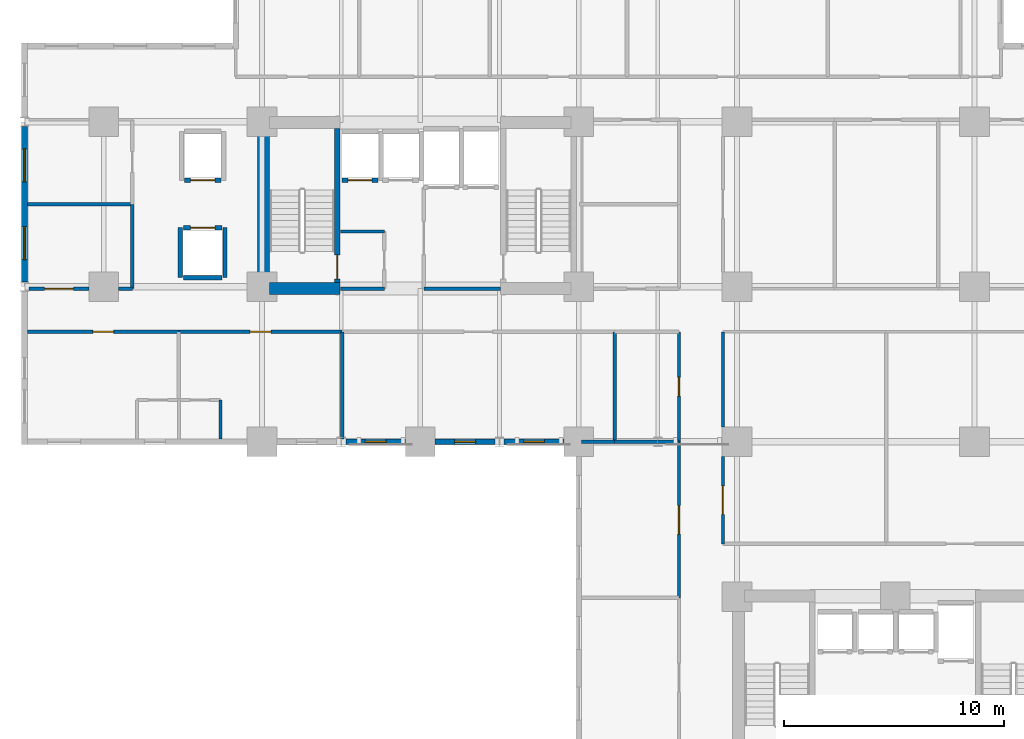
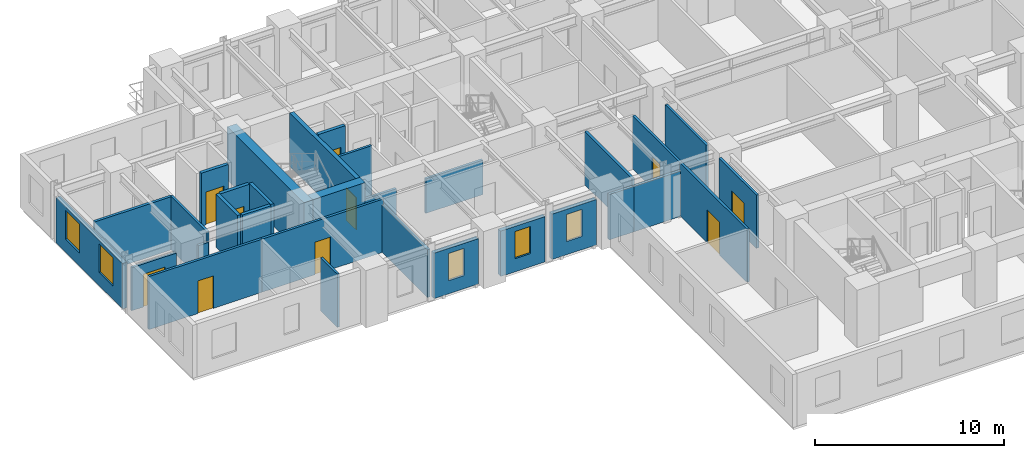
# One storey, part 3 of 11: 31 walls, 10 doors, 5 windows, 15 openings.
"""IFC4 building model written with IfcOpenShell, lengths in metres."""

from ifc_helpers import new_model, si_unit, direction, frame, frame_2d, origin, place, context, subcontext, project, spatial, rectangle, extrude, material, layer, layer_set, type_object, element, fill, save


model = new_model("IFC4")

# Units and contexts
model_context = context("Model", 3, precision=1e-05, world=origin(), true_north=direction((0.0, 1.0)))
body_context = subcontext(model_context, "Body", "Model", "MODEL_VIEW")
ifc_project = project(units=[si_unit("LENGTHUNIT", "METRE"), si_unit("AREAUNIT", "SQUARE_METRE"), si_unit("VOLUMEUNIT", "CUBIC_METRE"), si_unit("PLANEANGLEUNIT", "RADIAN"), si_unit("MASSUNIT", "GRAM", prefix="KILO")], contexts=[model_context])

# Site, building, storey
site_placement = place(None, origin())
site = spatial("IfcSite", under=ifc_project, at=site_placement, CompositionType="ELEMENT")
building_placement = place(site_placement, origin())
building = spatial("IfcBuilding", under=site, at=building_placement, Name="Kaliganga Portal Commons", CompositionType="ELEMENT")
storey_placement = place(building_placement, frame((0.0, 0.0, 51.199951171875)))
storey = spatial("IfcBuildingStorey", under=building, at=storey_placement, Name="L12", CompositionType="ELEMENT", Elevation=51.199951171875)

# Walls
ifc_material_1 = material(Name="Concrete C60/75", Category="concrete")
ifc_layer_1 = layer(ifc_material_1, 0.550048828125)
ifc_layer_set_1 = layer_set([ifc_layer_1], Name="Concrete C60/75")
wall_type_1 = type_object("IfcWallType", Name="WL-CORE-550", PredefinedType="SHEAR", material=ifc_layer_set_1)
wall_1_placement = place(storey_placement, frame((14.47509765625, 28.300048828125, 0.0), z_axis=(0.0, 0.0, 1.0), x_axis=(0.0, 1.0, 0.0)))
element("IfcWall", 1, at=wall_1_placement, inside=storey, type_object=wall_type_1, Name="Core A West Shear Wall L12", PredefinedType="SHEAR", context=body_context, shape_type="SweptSolid", body=[
    extrude(rectangle(XDim=8.099853515625, YDim=0.550048828125, at=frame_2d((4.0498046875, 0.0))), origin(), (0.0, 0.0, 1.0), 3.449951171875),
])
wall_2_placement = place(storey_placement, frame((14.75, 28.574951171875, 0.0), z_axis=(0.0, 0.0, 1.0), x_axis=(1.0, 0.0, 0.0)))
element("IfcWall", 2, at=wall_2_placement, inside=storey, type_object=wall_type_1, Name="Core A S-West Shear Wall L12", PredefinedType="SHEAR", context=body_context, shape_type="SweptSolid", body=[
    extrude(rectangle(XDim=3.199951171875, YDim=0.550048828125, at=frame_2d((1.60009765625, 0.0))), origin(), (0.0, 0.0, 1.0), 3.449951171875),
])

# Wall, openings, windows
ifc_material_2 = material(Name="Insulated Aluminium-Clad Spandrel Assembly", Category="aluminium")
ifc_layer_2 = layer(ifc_material_2, 0.260009765625)
ifc_layer_set_2 = layer_set([ifc_layer_2], Name="Insulated Aluminium-Clad Spandrel Assembly")
wall_type_2 = type_object("IfcWallType", Name="WL-EXT-SPAND-260", PredefinedType="STANDARD", material=ifc_layer_set_2)
wall_3_placement = place(storey_placement, frame((3.60009765625, 28.8740234375, 0.0), z_axis=(0.0, 0.0, 1.0), x_axis=(0.0, 1.0, 0.0)))
wall_3 = element("IfcWall", 3, at=wall_3_placement, inside=storey, type_object=wall_type_2, Name="Exterior Envelope Wall L12 P1-E09-S2", PredefinedType="STANDARD", context=body_context, shape_type="SweptSolid", body=[
    extrude(rectangle(XDim=7.052001953125, YDim=0.260009765625, at=frame_2d((3.52587890625, 0.0))), origin(), (0.0, 0.0, 1.0), 2.929931640625),
])
opening_1_placement = place(wall_3_placement, frame((1.012939453125, 0.0, 0.85009765625)))
opening_1 = element("IfcOpeningElement", 4, at=opening_1_placement, cuts=wall_3, Name="Opening W-02", PredefinedType="OPENING", context=body_context, shape_type="SweptSolid", body=[
    extrude(rectangle(XDim=1.5, YDim=1.85009765625, at=frame_2d((0.75, 0.925048828125))), frame((0.0, 0.14013671875, 0.0), z_axis=(0.0, -1.0, 0.0), x_axis=(1.0, 0.0, 0.0)), (0.0, 0.0, 1.0), 0.280029296875),
])
opening_2_placement = place(wall_3_placement, frame((4.5390625, 0.0, 0.85009765625)))
opening_2 = element("IfcOpeningElement", 5, at=opening_2_placement, cuts=wall_3, Name="Opening W-02", PredefinedType="OPENING", context=body_context, shape_type="SweptSolid", body=[
    extrude(rectangle(XDim=1.5, YDim=1.85009765625, at=frame_2d((0.75, 0.925048828125))), frame((0.0, 0.14013671875, 0.0), z_axis=(0.0, -1.0, 0.0), x_axis=(1.0, 0.0, 0.0)), (0.0, 0.0, 1.0), 0.280029296875),
])
ifc_material_3 = material(Name="Thermally Broken Aluminium and Low-E Double Glazing", Category="aluminium")
window_type_1 = type_object("IfcWindowType", Name="WIN-STD-1500", PartitioningType="DOUBLE_PANEL_VERTICAL", PredefinedType="WINDOW", material=ifc_material_3)
window_1_placement = place(opening_1_placement, origin())
window_1 = element("IfcWindow", 6, at=window_1_placement, inside=storey, type_object=window_type_1, Name="Facade Window L12-P1E09S2-00", OverallHeight=1.85009765625, OverallWidth=1.5, PartitioningType="SINGLE_PANEL", PredefinedType="WINDOW", context=body_context, shape_type="SweptSolid", body=[
    extrude(rectangle(XDim=1.5, YDim=1.85009765625, at=frame_2d((0.75, 0.925048828125))), frame((0.0, 0.030029296875, 0.0), z_axis=(0.0, -1.0, 0.0), x_axis=(1.0, 0.0, 0.0)), (0.0, 0.0, 1.0), 0.06005859375),
])
fill(opening_1, window_1)
window_2_placement = place(opening_2_placement, origin())
window_2 = element("IfcWindow", 7, at=window_2_placement, inside=storey, type_object=window_type_1, Name="Facade Window L12-P1E09S2-01", OverallHeight=1.85009765625, OverallWidth=1.5, PartitioningType="SINGLE_PANEL", PredefinedType="WINDOW", context=body_context, shape_type="SweptSolid", body=[
    extrude(rectangle(XDim=1.5, YDim=1.85009765625, at=frame_2d((0.75, 0.925048828125))), frame((0.0, 0.030029296875, 0.0), z_axis=(0.0, -1.0, 0.0), x_axis=(1.0, 0.0, 0.0)), (0.0, 0.0, 1.0), 0.06005859375),
])
fill(opening_2, window_2)

# Wall, opening, window
wall_4_placement = place(storey_placement, frame((20.924072265625, 21.60009765625, 0.0), z_axis=(0.0, 0.0, 1.0), x_axis=(-1.0, 0.0, 0.0)))
wall_4 = element("IfcWall", 8, at=wall_4_placement, inside=storey, type_object=wall_type_2, Name="Exterior Envelope Wall L12 P1-E10-S3", PredefinedType="STANDARD", context=body_context, shape_type="SweptSolid", body=[
    extrude(rectangle(XDim=2.715087890625, YDim=0.260009765625, at=frame_2d((1.357421875, 0.0))), origin(), (0.0, 0.0, 1.0), 2.929931640625),
])
opening_3_placement = place(wall_4_placement, frame((0.882568359375, 0.0, 0.85009765625)))
opening_3 = element("IfcOpeningElement", 9, at=opening_3_placement, cuts=wall_4, Name="Opening W-04", PredefinedType="OPENING", context=body_context, shape_type="SweptSolid", body=[
    extrude(rectangle(XDim=0.949951171875, YDim=1.75, at=frame_2d((0.47509765625, 0.875))), frame((0.0, 0.14013671875, 0.0), z_axis=(0.0, -1.0, 0.0), x_axis=(1.0, 0.0, 0.0)), (0.0, 0.0, 1.0), 0.280029296875),
])
window_type_2 = type_object("IfcWindowType", Name="WIN-NARROW-950", PartitioningType="SINGLE_PANEL", PredefinedType="WINDOW", material=ifc_material_3)
window_3_placement = place(opening_3_placement, origin())
window_3 = element("IfcWindow", 10, at=window_3_placement, inside=storey, type_object=window_type_2, Name="Facade Window L12-P1E10S3-00", OverallHeight=1.75, OverallWidth=0.949951171875, PartitioningType="SINGLE_PANEL", PredefinedType="WINDOW", context=body_context, shape_type="SweptSolid", body=[
    extrude(rectangle(XDim=0.949951171875, YDim=1.75, at=frame_2d((0.47509765625, 0.875))), frame((0.0, 0.030029296875, 0.0), z_axis=(0.0, -1.0, 0.0), x_axis=(1.0, 0.0, 0.0)), (0.0, 0.0, 1.0), 0.06005859375),
])
fill(opening_3, window_3)

wall_5_placement = place(storey_placement, frame((24.990966796875, 21.60009765625, 0.0), z_axis=(0.0, 0.0, 1.0), x_axis=(-1.0, 0.0, 0.0)))
wall_5 = element("IfcWall", 11, at=wall_5_placement, inside=storey, type_object=wall_type_2, Name="Exterior Envelope Wall L12 P1-E10-S4", PredefinedType="STANDARD", context=body_context, shape_type="SweptSolid", body=[
    extrude(rectangle(XDim=2.715087890625, YDim=0.260009765625, at=frame_2d((1.357421875, 0.0))), origin(), (0.0, 0.0, 1.0), 2.929931640625),
])
opening_4_placement = place(wall_5_placement, frame((0.882568359375, 0.0, 0.85009765625)))
opening_4 = element("IfcOpeningElement", 12, at=opening_4_placement, cuts=wall_5, Name="Opening W-04", PredefinedType="OPENING", context=body_context, shape_type="SweptSolid", body=[
    extrude(rectangle(XDim=0.949951171875, YDim=1.75, at=frame_2d((0.47509765625, 0.875))), frame((0.0, 0.14013671875, 0.0), z_axis=(0.0, -1.0, 0.0), x_axis=(1.0, 0.0, 0.0)), (0.0, 0.0, 1.0), 0.280029296875),
])
window_4_placement = place(opening_4_placement, origin())
window_4 = element("IfcWindow", 13, at=window_4_placement, inside=storey, type_object=window_type_2, Name="Facade Window L12-P1E10S4-00", OverallHeight=1.75, OverallWidth=0.949951171875, PartitioningType="SINGLE_PANEL", PredefinedType="WINDOW", context=body_context, shape_type="SweptSolid", body=[
    extrude(rectangle(XDim=0.949951171875, YDim=1.75, at=frame_2d((0.47509765625, 0.875))), frame((0.0, 0.030029296875, 0.0), z_axis=(0.0, -1.0, 0.0), x_axis=(1.0, 0.0, 0.0)), (0.0, 0.0, 1.0), 0.06005859375),
])
fill(opening_4, window_4)

wall_6_placement = place(storey_placement, frame((28.1240234375, 21.60009765625, 0.0), z_axis=(0.0, 0.0, 1.0), x_axis=(-1.0, 0.0, 0.0)))
wall_6 = element("IfcWall", 14, at=wall_6_placement, inside=storey, type_object=wall_type_2, Name="Exterior Envelope Wall L12 P1-E10-S5", PredefinedType="STANDARD", context=body_context, shape_type="SweptSolid", body=[
    extrude(rectangle(XDim=2.715087890625, YDim=0.260009765625, at=frame_2d((1.357421875, 0.0))), origin(), (0.0, 0.0, 1.0), 2.929931640625),
])
opening_5_placement = place(wall_6_placement, frame((0.882568359375, 0.0, 0.85009765625)))
opening_5 = element("IfcOpeningElement", 15, at=opening_5_placement, cuts=wall_6, Name="Opening W-04", PredefinedType="OPENING", context=body_context, shape_type="SweptSolid", body=[
    extrude(rectangle(XDim=0.949951171875, YDim=1.75, at=frame_2d((0.47509765625, 0.875))), frame((0.0, 0.14013671875, 0.0), z_axis=(0.0, -1.0, 0.0), x_axis=(1.0, 0.0, 0.0)), (0.0, 0.0, 1.0), 0.280029296875),
])
window_5_placement = place(opening_5_placement, origin())
window_5 = element("IfcWindow", 16, at=window_5_placement, inside=storey, type_object=window_type_2, Name="Facade Window L12-P1E10S5-00", OverallHeight=1.75, OverallWidth=0.949951171875, PartitioningType="SINGLE_PANEL", PredefinedType="WINDOW", context=body_context, shape_type="SweptSolid", body=[
    extrude(rectangle(XDim=0.949951171875, YDim=1.75, at=frame_2d((0.47509765625, 0.875))), frame((0.0, 0.030029296875, 0.0), z_axis=(0.0, -1.0, 0.0), x_axis=(1.0, 0.0, 0.0)), (0.0, 0.0, 1.0), 0.06005859375),
])
fill(opening_5, window_5)

# Wall, opening, door
ifc_material_4 = material(Name="Fire-Rated Gypsum Board on Steel Stud", Category="steel")
ifc_layer_3 = layer(ifc_material_4, 0.14990234375)
ifc_layer_set_3 = layer_set([ifc_layer_3], Name="Fire-Rated Gypsum Board on Steel Stud")
wall_type_3 = type_object("IfcWallType", Name="WL-PART-CORR-150", PredefinedType="PARTITIONING", material=ifc_layer_set_3)
wall_7_placement = place(storey_placement, frame((35.360107421875, 16.9599609375, 0.0), z_axis=(0.0, 0.0, 1.0), x_axis=(0.0, 1.0, 0.0)))
wall_7 = element("IfcWall", 17, at=wall_7_placement, inside=storey, type_object=wall_type_3, Name="Interior Partition L12-007", PredefinedType="PARTITIONING", context=body_context, shape_type="SweptSolid", body=[
    extrude(rectangle(XDim=3.965087890625, YDim=0.14990234375, at=frame_2d((1.982421875, 0.0))), origin(), (0.0, 0.0, 1.0), 3.429931640625),
])
opening_6_placement = place(wall_7_placement, frame((1.33251953125, 0.0, 0.0)))
opening_6 = element("IfcOpeningElement", 18, at=opening_6_placement, cuts=wall_7, Name="Opening RD-03", PredefinedType="OPENING", context=body_context, shape_type="SweptSolid", body=[
    extrude(rectangle(XDim=1.300048828125, YDim=2.1201171875, at=frame_2d((0.64990234375, 1.06005859375))), frame((0.0, 0.0849609375, 0.0), z_axis=(0.0, -1.0, 0.0), x_axis=(1.0, 0.0, 0.0)), (0.0, 0.0, 1.0), 0.169921875),
])
ifc_material_5 = material(Name="Glazed Timber Seminar Vision Door", Category="wood")
door_type_1 = type_object("IfcDoorType", Name="DR-STUDY-1300", OperationType="DOUBLE_DOOR_SINGLE_SWING", PredefinedType="DOOR", material=ifc_material_5)
door_1_placement = place(opening_6_placement, origin())
door_1 = element("IfcDoor", 19, at=door_1_placement, inside=storey, type_object=door_type_1, Name="Interior Door L12-BM01", OperationType="DOUBLE_DOOR_SINGLE_SWING", OverallHeight=2.1201171875, OverallWidth=1.300048828125, PredefinedType="DOOR", context=body_context, shape_type="SweptSolid", body=[
    extrude(rectangle(XDim=1.300048828125, YDim=2.1201171875, at=frame_2d((0.64990234375, 1.06005859375))), frame((0.0, 0.02490234375, 0.0), z_axis=(0.0, -1.0, 0.0), x_axis=(1.0, 0.0, 0.0)), (0.0, 0.0, 1.0), 0.050048828125),
])
fill(opening_6, door_1)

# Wall
wall_8_placement = place(storey_placement, frame((35.360107421875, 22.27490234375, 0.0), z_axis=(0.0, 0.0, 1.0), x_axis=(0.0, 1.0, 0.0)))
element("IfcWall", 20, at=wall_8_placement, inside=storey, type_object=wall_type_3, Name="Interior Partition L12-008", PredefinedType="PARTITIONING", context=body_context, shape_type="SweptSolid", body=[
    extrude(rectangle(XDim=4.3251953125, YDim=0.14990234375, at=frame_2d((2.16259765625, 0.0))), origin(), (0.0, 0.0, 1.0), 3.429931640625),
])

# Wall, opening, door
wall_9_placement = place(storey_placement, frame((10.6201171875, 26.60009765625, 0.0), z_axis=(0.0, 0.0, 1.0), x_axis=(1.0, 0.0, 0.0)))
wall_9 = element("IfcWall", 21, at=wall_9_placement, inside=storey, type_object=wall_type_3, Name="Interior Partition L12-014", PredefinedType="PARTITIONING", context=body_context, shape_type="SweptSolid", body=[
    extrude(rectangle(XDim=7.419921875, YDim=0.14990234375, at=frame_2d((3.7099609375, 0.0))), origin(), (0.0, 0.0, 1.0), 3.429931640625),
])
opening_7_placement = place(wall_9_placement, frame((3.235107421875, 0.0, 0.0)))
opening_7 = element("IfcOpeningElement", 22, at=opening_7_placement, cuts=wall_9, Name="Opening UD-01", PredefinedType="OPENING", context=body_context, shape_type="SweptSolid", body=[
    extrude(rectangle(XDim=0.949951171875, YDim=2.10009765625, at=frame_2d((0.47509765625, 1.050048828125))), frame((0.0, 0.0849609375, 0.0), z_axis=(0.0, -1.0, 0.0), x_axis=(1.0, 0.0, 0.0)), (0.0, 0.0, 1.0), 0.169921875),
])
ifc_material_6 = material(Name="Solid-Core Timber Acoustic Fire Door", Category="wood")
door_type_2 = type_object("IfcDoorType", Name="DR-UNIT-950", OperationType="NOTDEFINED", PredefinedType="DOOR", material=ifc_material_6)
door_2_placement = place(opening_7_placement, origin())
door_2 = element("IfcDoor", 23, at=door_2_placement, inside=storey, type_object=door_type_2, Name="Interior Door L12-AS02", OperationType="SINGLE_SWING_LEFT", OverallHeight=2.10009765625, OverallWidth=0.949951171875, PredefinedType="DOOR", context=body_context, shape_type="SweptSolid", body=[
    extrude(rectangle(XDim=0.949951171875, YDim=2.10009765625, at=frame_2d((0.47509765625, 1.050048828125))), frame((0.0, 0.02490234375, 0.0), z_axis=(0.0, -1.0, 0.0), x_axis=(1.0, 0.0, 0.0)), (0.0, 0.0, 1.0), 0.050048828125),
])
fill(opening_7, door_2)

wall_10_placement = place(storey_placement, frame((33.360107421875, 14.5, 0.0), z_axis=(0.0, 0.0, 1.0), x_axis=(0.0, 1.0, 0.0)))
wall_10 = element("IfcWall", 24, at=wall_10_placement, inside=storey, type_object=wall_type_3, Name="Interior Partition L12-016", PredefinedType="PARTITIONING", context=body_context, shape_type="SweptSolid", body=[
    extrude(rectangle(XDim=7.10009765625, YDim=0.14990234375, at=frame_2d((3.550048828125, 0.0))), origin(), (0.0, 0.0, 1.0), 3.429931640625),
])
opening_8_placement = place(wall_10_placement, frame((2.89990234375, 0.0, 0.0)))
opening_8 = element("IfcOpeningElement", 25, at=opening_8_placement, cuts=wall_10, Name="Opening RD-03", PredefinedType="OPENING", context=body_context, shape_type="SweptSolid", body=[
    extrude(rectangle(XDim=1.300048828125, YDim=2.1201171875, at=frame_2d((0.64990234375, 1.06005859375))), frame((0.0, 0.0849609375, 0.0), z_axis=(0.0, -1.0, 0.0), x_axis=(1.0, 0.0, 0.0)), (0.0, 0.0, 1.0), 0.169921875),
])
door_3_placement = place(opening_8_placement, origin())
door_3 = element("IfcDoor", 26, at=door_3_placement, inside=storey, type_object=door_type_1, Name="Interior Door L12-KW02", OperationType="DOUBLE_DOOR_SINGLE_SWING", OverallHeight=2.1201171875, OverallWidth=1.300048828125, PredefinedType="DOOR", context=body_context, shape_type="SweptSolid", body=[
    extrude(rectangle(XDim=1.300048828125, YDim=2.1201171875, at=frame_2d((0.64990234375, 1.06005859375))), frame((0.0, 0.02490234375, 0.0), z_axis=(0.0, -1.0, 0.0), x_axis=(1.0, 0.0, 0.0)), (0.0, 0.0, 1.0), 0.050048828125),
])
fill(opening_8, door_3)

wall_11_placement = place(storey_placement, frame((3.73193359375, 26.60009765625, 0.0), z_axis=(0.0, 0.0, 1.0), x_axis=(1.0, 0.0, 0.0)))
wall_11 = element("IfcWall", 27, at=wall_11_placement, inside=storey, type_object=wall_type_3, Name="Interior Partition L12-021", PredefinedType="PARTITIONING", context=body_context, shape_type="SweptSolid", body=[
    extrude(rectangle(XDim=6.88818359375, YDim=0.14990234375, at=frame_2d((3.444091796875, 0.0))), origin(), (0.0, 0.0, 1.0), 3.429931640625),
])
opening_9_placement = place(wall_11_placement, frame((2.968994140625, 0.0, 0.0)))
opening_9 = element("IfcOpeningElement", 28, at=opening_9_placement, cuts=wall_11, Name="Opening UD-01", PredefinedType="OPENING", context=body_context, shape_type="SweptSolid", body=[
    extrude(rectangle(XDim=0.949951171875, YDim=2.10009765625, at=frame_2d((0.47509765625, 1.050048828125))), frame((0.0, 0.0849609375, 0.0), z_axis=(0.0, -1.0, 0.0), x_axis=(1.0, 0.0, 0.0)), (0.0, 0.0, 1.0), 0.169921875),
])
door_4_placement = place(opening_9_placement, origin())
door_4 = element("IfcDoor", 29, at=door_4_placement, inside=storey, type_object=door_type_2, Name="Interior Door L12-AS01", OperationType="SINGLE_SWING_LEFT", OverallHeight=2.10009765625, OverallWidth=0.949951171875, PredefinedType="DOOR", context=body_context, shape_type="SweptSolid", body=[
    extrude(rectangle(XDim=0.949951171875, YDim=2.10009765625, at=frame_2d((0.47509765625, 1.050048828125))), frame((0.0, 0.02490234375, 0.0), z_axis=(0.0, -1.0, 0.0), x_axis=(1.0, 0.0, 0.0)), (0.0, 0.0, 1.0), 0.050048828125),
])
fill(opening_9, door_4)

wall_12_placement = place(storey_placement, frame((33.360107421875, 21.60009765625, 0.0), z_axis=(0.0, 0.0, 1.0), x_axis=(0.0, 1.0, 0.0)))
wall_12 = element("IfcWall", 30, at=wall_12_placement, inside=storey, type_object=wall_type_3, Name="Interior Partition L12-029", PredefinedType="PARTITIONING", context=body_context, shape_type="SweptSolid", body=[
    extrude(rectangle(XDim=5.0, YDim=0.14990234375, at=frame_2d((2.5, 0.0))), origin(), (0.0, 0.0, 1.0), 3.429931640625),
])
opening_10_placement = place(wall_12_placement, frame((2.070068359375, 0.0, 0.0)))
opening_10 = element("IfcOpeningElement", 31, at=opening_10_placement, cuts=wall_12, Name="Opening WD-02", PredefinedType="OPENING", context=body_context, shape_type="SweptSolid", body=[
    extrude(rectangle(XDim=0.860107421875, YDim=2.02001953125, at=frame_2d((0.43017578125, 1.010009765625))), frame((0.0, 0.0849609375, 0.0), z_axis=(0.0, -1.0, 0.0), x_axis=(1.0, 0.0, 0.0)), (0.0, 0.0, 1.0), 0.169921875),
])
ifc_material_7 = material(Name="Fire-Rated Utility Closet Door", Category="wood")
door_type_3 = type_object("IfcDoorType", Name="DR-STORE-800", OperationType="NOTDEFINED", PredefinedType="DOOR", material=ifc_material_7)
door_5_placement = place(opening_10_placement, origin())
door_5 = element("IfcDoor", 32, at=door_5_placement, inside=storey, type_object=door_type_3, Name="Interior Door L12-AS04", OperationType="SINGLE_SWING_RIGHT", OverallHeight=2.02001953125, OverallWidth=0.860107421875, PredefinedType="DOOR", context=body_context, shape_type="SweptSolid", body=[
    extrude(rectangle(XDim=0.860107421875, YDim=2.02001953125, at=frame_2d((0.43017578125, 1.010009765625))), frame((0.0, 0.02490234375, 0.0), z_axis=(0.0, -1.0, 0.0), x_axis=(1.0, 0.0, 0.0)), (0.0, 0.0, 1.0), 0.050048828125),
])
fill(opening_10, door_5)

wall_13_placement = place(storey_placement, frame((3.80810546875, 28.56005859375, 0.0), z_axis=(0.0, 0.0, 1.0), x_axis=(1.0, 0.0, 0.0)))
wall_13 = element("IfcWall", 33, at=wall_13_placement, inside=storey, type_object=wall_type_3, Name="Interior Partition L12-030", PredefinedType="PARTITIONING", context=body_context, shape_type="SweptSolid", body=[
    extrude(rectangle(XDim=2.716796875, YDim=0.14990234375, at=frame_2d((1.3583984375, 0.0))), origin(), (0.0, 0.0, 1.0), 2.780029296875),
])
opening_11_placement = place(wall_13_placement, frame((0.70849609375, 0.0, 0.0)))
opening_11 = element("IfcOpeningElement", 34, at=opening_11_placement, cuts=wall_13, Name="Opening RD-03", PredefinedType="OPENING", context=body_context, shape_type="SweptSolid", body=[
    extrude(rectangle(XDim=1.300048828125, YDim=2.1201171875, at=frame_2d((0.64990234375, 1.06005859375))), frame((0.0, 0.0849609375, 0.0), z_axis=(0.0, -1.0, 0.0), x_axis=(1.0, 0.0, 0.0)), (0.0, 0.0, 1.0), 0.169921875),
])
door_6_placement = place(opening_11_placement, origin())
door_6 = element("IfcDoor", 35, at=door_6_placement, inside=storey, type_object=door_type_1, Name="Interior Door L12-AW01", OperationType="DOUBLE_DOOR_SINGLE_SWING", OverallHeight=2.1201171875, OverallWidth=1.300048828125, PredefinedType="DOOR", context=body_context, shape_type="SweptSolid", body=[
    extrude(rectangle(XDim=1.300048828125, YDim=2.1201171875, at=frame_2d((0.64990234375, 1.06005859375))), frame((0.0, 0.02490234375, 0.0), z_axis=(0.0, -1.0, 0.0), x_axis=(1.0, 0.0, 0.0)), (0.0, 0.0, 1.0), 0.050048828125),
])
fill(opening_11, door_6)

# Walls
wall_14_placement = place(storey_placement, frame((7.875, 28.56005859375, 0.0), z_axis=(0.0, 0.0, 1.0), x_axis=(1.0, 0.0, 0.0)))
element("IfcWall", 36, at=wall_14_placement, inside=storey, type_object=wall_type_3, Name="Interior Partition L12-031", PredefinedType="PARTITIONING", context=body_context, shape_type="SweptSolid", body=[
    extrude(rectangle(XDim=0.625, YDim=0.14990234375, at=frame_2d((0.3125, 0.0))), origin(), (0.0, 0.0, 1.0), 2.780029296875),
])
wall_15_placement = place(storey_placement, frame((8.5, 28.56005859375, 0.0), z_axis=(0.0, 0.0, 1.0), x_axis=(0.0, 1.0, 0.0)))
element("IfcWall", 37, at=wall_15_placement, inside=storey, type_object=wall_type_3, Name="Interior Partition L12-040", PredefinedType="PARTITIONING", context=body_context, shape_type="SweptSolid", body=[
    extrude(rectangle(XDim=3.83984375, YDim=0.14990234375, at=frame_2d((1.919921875, 0.0))), origin(), (0.0, 0.0, 1.0), 3.429931640625),
])
wall_16_placement = place(storey_placement, frame((17.9599609375, 28.56005859375, 0.0), z_axis=(0.0, 0.0, 1.0), x_axis=(1.0, 0.0, 0.0)))
element("IfcWall", 38, at=wall_16_placement, inside=storey, type_object=wall_type_3, Name="Interior Partition L12-045", PredefinedType="PARTITIONING", context=body_context, shape_type="SweptSolid", body=[
    extrude(rectangle(XDim=2.0, YDim=0.14990234375, at=frame_2d((1.0, 0.0))), origin(), (0.0, 0.0, 1.0), 2.22998046875),
])
wall_17_placement = place(storey_placement, frame((17.9599609375, 31.159912109375, 0.0), z_axis=(0.0, 0.0, 1.0), x_axis=(1.0, 0.0, 0.0)))
element("IfcWall", 39, at=wall_17_placement, inside=storey, type_object=wall_type_3, Name="Interior Partition L12-046", PredefinedType="PARTITIONING", context=body_context, shape_type="SweptSolid", body=[
    extrude(rectangle(XDim=2.0, YDim=0.14990234375, at=frame_2d((1.0, 0.0))), origin(), (0.0, 0.0, 1.0), 3.429931640625),
])
wall_18_placement = place(storey_placement, frame((21.760009765625, 28.56005859375, 0.0), z_axis=(0.0, 0.0, 1.0), x_axis=(1.0, 0.0, 0.0)))
element("IfcWall", 40, at=wall_18_placement, inside=storey, type_object=wall_type_3, Name="Interior Partition L12-078", PredefinedType="PARTITIONING", context=body_context, shape_type="SweptSolid", body=[
    extrude(rectangle(XDim=3.47998046875, YDim=0.14990234375, at=frame_2d((1.739990234375, 0.0))), origin(), (0.0, 0.0, 1.0), 2.22998046875),
])
ifc_material_8 = material(Name="Twin-Stud Acoustic Gypsum Partition", Category="gypsum")
ifc_layer_4 = layer(ifc_material_8, 0.1650390625)
ifc_layer_set_4 = layer_set([ifc_layer_4], Name="Twin-Stud Acoustic Gypsum Partition")
wall_type_4 = type_object("IfcWallType", Name="WL-PART-UNIT-165", PredefinedType="PARTITIONING", material=ifc_layer_set_4)
wall_19_placement = place(storey_placement, frame((18.0400390625, 21.73193359375, 0.0), z_axis=(0.0, 0.0, 1.0), x_axis=(0.0, 1.0, 0.0)))
element("IfcWall", 41, at=wall_19_placement, inside=storey, type_object=wall_type_4, Name="Interior Partition L12-061", PredefinedType="PARTITIONING", context=body_context, shape_type="SweptSolid", body=[
    extrude(rectangle(XDim=4.8681640625, YDim=0.1650390625, at=frame_2d((2.43408203125, 0.0))), origin(), (0.0, 0.0, 1.0), 3.070068359375),
])
wall_20_placement = place(storey_placement, frame((30.43994140625, 21.60009765625, 0.0), z_axis=(0.0, 0.0, 1.0), x_axis=(0.0, 1.0, 0.0)))
element("IfcWall", 42, at=wall_20_placement, inside=storey, type_object=wall_type_4, Name="Interior Partition L12-064", PredefinedType="PARTITIONING", context=body_context, shape_type="SweptSolid", body=[
    extrude(rectangle(XDim=5.0, YDim=0.1650390625, at=frame_2d((2.5, 0.0))), origin(), (0.0, 0.0, 1.0), 3.429931640625),
])
wall_21_placement = place(storey_placement, frame((3.73193359375, 32.39990234375, 0.0), z_axis=(0.0, 0.0, 1.0), x_axis=(1.0, 0.0, 0.0)))
element("IfcWall", 43, at=wall_21_placement, inside=storey, type_object=wall_type_4, Name="Interior Partition L12-069", PredefinedType="PARTITIONING", context=body_context, shape_type="SweptSolid", body=[
    extrude(rectangle(XDim=4.76806640625, YDim=0.1650390625, at=frame_2d((2.384033203125, 0.0))), origin(), (0.0, 0.0, 1.0), 3.429931640625),
])
wall_22_placement = place(storey_placement, frame((30.43994140625, 21.60009765625, 0.0), z_axis=(0.0, 0.0, 1.0), x_axis=(1.0, 0.0, 0.0)))
element("IfcWall", 44, at=wall_22_placement, inside=storey, type_object=wall_type_4, Name="Interior Partition L12-080", PredefinedType="PARTITIONING", context=body_context, shape_type="SweptSolid", body=[
    extrude(rectangle(XDim=2.920166015625, YDim=0.1650390625, at=frame_2d((1.4599609375, 0.0))), origin(), (0.0, 0.0, 1.0), 2.929931640625),
])
wall_23_placement = place(storey_placement, frame((28.931884765625, 21.60009765625, 0.0), z_axis=(0.0, 0.0, 1.0), x_axis=(1.0, 0.0, 0.0)))
element("IfcWall", 45, at=wall_23_placement, inside=storey, type_object=wall_type_4, Name="Interior Partition L12-082", PredefinedType="PARTITIONING", context=body_context, shape_type="SweptSolid", body=[
    extrude(rectangle(XDim=1.508056640625, YDim=0.1650390625, at=frame_2d((0.75390625, 0.0))), origin(), (0.0, 0.0, 1.0), 2.929931640625),
])
ifc_material_9 = material(Name="Cement-Board Wet-Room Partition", Category="gypsum")
ifc_layer_5 = layer(ifc_material_9, 0.135009765625)
ifc_layer_set_5 = layer_set([ifc_layer_5], Name="Cement-Board Wet-Room Partition")
wall_type_5 = type_object("IfcWallType", Name="WL-PART-WET-135", PredefinedType="PARTITIONING", material=ifc_layer_set_5)
wall_24_placement = place(storey_placement, frame((12.52001953125, 21.73193359375, 0.0), z_axis=(0.0, 0.0, 1.0), x_axis=(0.0, 1.0, 0.0)))
element("IfcWall", 46, at=wall_24_placement, inside=storey, type_object=wall_type_5, Name="Interior Partition L12-005", PredefinedType="PARTITIONING", context=body_context, shape_type="SweptSolid", body=[
    extrude(rectangle(XDim=1.76806640625, YDim=0.135009765625, at=frame_2d((0.884033203125, 0.0))), origin(), (0.0, 0.0, 1.0), 3.429931640625),
])

# Wall, opening, door
ifc_material_10 = material(Name="Fire-Rated Shaftwall Masonry Assembly", Category="masonry")
ifc_layer_6 = layer(ifc_material_10, 0.199951171875)
ifc_layer_set_6 = layer_set([ifc_layer_6], Name="Fire-Rated Shaftwall Masonry Assembly")
wall_type_6 = type_object("IfcWallType", Name="WL-SHAFT-200", PredefinedType="PARTITIONING", material=ifc_layer_set_6)
wall_25_placement = place(storey_placement, frame((18.02490234375, 33.485107421875, 0.0), z_axis=(0.0, 0.0, 1.0), x_axis=(1.0, 0.0, 0.0)))
wall_25 = element("IfcWall", 47, at=wall_25_placement, inside=storey, type_object=wall_type_6, Name="Lift PL-A1 Hoistway Shaft Wall L12-S", PredefinedType="PARTITIONING", context=body_context, shape_type="SweptSolid", body=[
    extrude(rectangle(XDim=1.650146484375, YDim=0.199951171875, at=frame_2d((0.8251953125, 0.0))), origin(), (0.0, 0.0, 1.0), 3.429931640625),
])
opening_12_placement = place(wall_25_placement, frame((0.27490234375, 0.0, 0.0)))
opening_12 = element("IfcOpeningElement", 48, at=opening_12_placement, cuts=wall_25, Name="Opening LD-01", PredefinedType="OPENING", context=body_context, shape_type="SweptSolid", body=[
    extrude(rectangle(XDim=1.10009765625, YDim=2.1201171875, at=frame_2d((0.550048828125, 1.06005859375))), frame((0.0, 0.10986328125, 0.0), z_axis=(0.0, -1.0, 0.0), x_axis=(1.0, 0.0, 0.0)), (0.0, 0.0, 1.0), 0.219970703125),
])
ifc_material_11 = material(Name="Brushed Stainless Steel 316 Lift Landing Door", Category="steel")
door_type_4 = type_object("IfcDoorType", Name="DR-LIFT-1100", OperationType="SLIDING_TO_LEFT", PredefinedType="DOOR", material=ifc_material_11)
door_7_placement = place(opening_12_placement, origin())
door_7 = element("IfcDoor", 49, at=door_7_placement, inside=storey, type_object=door_type_4, Name="Lift PL-A1 Sliding Landing Door L12", OperationType="SLIDING_TO_LEFT", OverallHeight=2.1201171875, OverallWidth=1.10009765625, PredefinedType="DOOR", context=body_context, shape_type="SweptSolid", body=[
    extrude(rectangle(XDim=1.10009765625, YDim=2.1201171875, at=frame_2d((0.550048828125, 1.06005859375))), frame((0.0, 0.02490234375, 0.0), z_axis=(0.0, -1.0, 0.0), x_axis=(1.0, 0.0, 0.0)), (0.0, 0.0, 1.0), 0.050048828125),
])
fill(opening_12, door_7)

# Wall
wall_26_placement = place(storey_placement, frame((10.824951171875, 29.06005859375, 0.0), z_axis=(0.0, 0.0, 1.0), x_axis=(1.0, 0.0, 0.0)))
element("IfcWall", 50, at=wall_26_placement, inside=storey, type_object=wall_type_6, Name="Lift SH-1 Hoistway Shaft Wall L12-S", PredefinedType="PARTITIONING", context=body_context, shape_type="SweptSolid", body=[
    extrude(rectangle(XDim=1.75, YDim=0.199951171875, at=frame_2d((0.875, 0.0))), origin(), (0.0, 0.0, 1.0), 3.429931640625),
])

# Wall, opening, door
wall_27_placement = place(storey_placement, frame((10.824951171875, 31.340087890625, 0.0), z_axis=(0.0, 0.0, 1.0), x_axis=(1.0, 0.0, 0.0)))
wall_27 = element("IfcWall", 51, at=wall_27_placement, inside=storey, type_object=wall_type_6, Name="Lift SH-1 Hoistway Shaft Wall L12-N", PredefinedType="PARTITIONING", context=body_context, shape_type="SweptSolid", body=[
    extrude(rectangle(XDim=1.75, YDim=0.199951171875, at=frame_2d((0.875, 0.0))), origin(), (0.0, 0.0, 1.0), 3.429931640625),
])
opening_13_placement = place(wall_27_placement, frame((0.324951171875, 0.0, 0.0)))
opening_13 = element("IfcOpeningElement", 52, at=opening_13_placement, cuts=wall_27, Name="Opening LD-01", PredefinedType="OPENING", context=body_context, shape_type="SweptSolid", body=[
    extrude(rectangle(XDim=1.10009765625, YDim=2.1201171875, at=frame_2d((0.550048828125, 1.06005859375))), frame((0.0, 0.10986328125, 0.0), z_axis=(0.0, -1.0, 0.0), x_axis=(1.0, 0.0, 0.0)), (0.0, 0.0, 1.0), 0.219970703125),
])
door_8_placement = place(opening_13_placement, origin())
door_8 = element("IfcDoor", 53, at=door_8_placement, inside=storey, type_object=door_type_4, Name="Lift SH-1 Sliding Landing Door L12", OperationType="SLIDING_TO_LEFT", OverallHeight=2.1201171875, OverallWidth=1.10009765625, PredefinedType="DOOR", context=body_context, shape_type="SweptSolid", body=[
    extrude(rectangle(XDim=1.10009765625, YDim=2.1201171875, at=frame_2d((0.550048828125, 1.06005859375))), frame((0.0, 0.02490234375, 0.0), z_axis=(0.0, -1.0, 0.0), x_axis=(1.0, 0.0, 0.0)), (0.0, 0.0, 1.0), 0.050048828125),
])
fill(opening_13, door_8)

# Walls
for number, where, z_axis, x_axis, name in (
    (54, (10.68505859375, 29.06005859375, 0.0), (0.0, 0.0, 1.0), (0.0, 1.0, 0.0), "Lift SH-1 Hoistway Shaft Wall L12-W"),
    (55, (12.715087890625, 29.06005859375, 0.0), (0.0, 0.0, 1.0), (0.0, 1.0, 0.0), "Lift SH-1 Hoistway Shaft Wall L12-E"),
):
    element("IfcWall", number, at=place(storey_placement, frame(where, z_axis=z_axis, x_axis=x_axis)), inside=storey, type_object=wall_type_6, Name=name, PredefinedType="PARTITIONING", context=body_context, shape_type="SweptSolid", body=[
        extrude(rectangle(XDim=2.280029296875, YDim=0.199951171875, at=frame_2d((1.14013671875, 0.0))), origin(), (0.0, 0.0, 1.0), 3.429931640625),
    ])

# Wall, opening, door
wall_28_placement = place(storey_placement, frame((10.875, 33.485107421875, 0.0), z_axis=(0.0, 0.0, 1.0), x_axis=(1.0, 0.0, 0.0)))
wall_28 = element("IfcWall", 56, at=wall_28_placement, inside=storey, type_object=wall_type_6, Name="Lift PL-OBS Hoistway Shaft Wall L12-S", PredefinedType="PARTITIONING", context=body_context, shape_type="SweptSolid", body=[
    extrude(rectangle(XDim=1.64990234375, YDim=0.199951171875, at=frame_2d((0.824951171875, 0.0))), origin(), (0.0, 0.0, 1.0), 3.429931640625),
])
opening_14_placement = place(wall_28_placement, frame((0.27490234375, 0.0, 0.0)))
opening_14 = element("IfcOpeningElement", 57, at=opening_14_placement, cuts=wall_28, Name="Opening LD-01", PredefinedType="OPENING", context=body_context, shape_type="SweptSolid", body=[
    extrude(rectangle(XDim=1.10009765625, YDim=2.1201171875, at=frame_2d((0.550048828125, 1.06005859375))), frame((0.0, 0.10986328125, 0.0), z_axis=(0.0, -1.0, 0.0), x_axis=(1.0, 0.0, 0.0)), (0.0, 0.0, 1.0), 0.219970703125),
])
door_9_placement = place(opening_14_placement, origin())
door_9 = element("IfcDoor", 58, at=door_9_placement, inside=storey, type_object=door_type_4, Name="Lift PL-OBS Sliding Landing Door L12", OperationType="SLIDING_TO_LEFT", OverallHeight=2.1201171875, OverallWidth=1.10009765625, PredefinedType="DOOR", context=body_context, shape_type="SweptSolid", body=[
    extrude(rectangle(XDim=1.10009765625, YDim=2.1201171875, at=frame_2d((0.550048828125, 1.06005859375))), frame((0.0, 0.02490234375, 0.0), z_axis=(0.0, -1.0, 0.0), x_axis=(1.0, 0.0, 0.0)), (0.0, 0.0, 1.0), 0.050048828125),
])
fill(opening_14, door_9)

ifc_material_12 = material(Name="Concrete C50/60", Category="concrete")
ifc_layer_7 = layer(ifc_material_12, 0.25)
ifc_layer_set_7 = layer_set([ifc_layer_7], Name="Concrete C50/60")
wall_type_7 = type_object("IfcWallType", Name="WL-STAIR-250", PredefinedType="SHEAR", material=ifc_layer_set_7)
wall_29_placement = place(storey_placement, frame((17.824951171875, 28.85009765625, 0.0), z_axis=(0.0, 0.0, 1.0), x_axis=(0.0, 1.0, 0.0)))
wall_29 = element("IfcWall", 59, at=wall_29_placement, inside=storey, type_object=wall_type_7, Name="Stair A1 Enclosure Shear Wall L12", PredefinedType="SHEAR", context=body_context, shape_type="SweptSolid", body=[
    extrude(rectangle(XDim=7.0, YDim=0.25, at=frame_2d((3.5, 0.0))), origin(), (0.0, 0.0, 1.0), 3.449951171875),
])
opening_15_placement = place(wall_29_placement, frame((0.14990234375, 0.0, 0.0)))
opening_15 = element("IfcOpeningElement", 60, at=opening_15_placement, cuts=wall_29, Name="Opening SD-01", PredefinedType="OPENING", context=body_context, shape_type="SweptSolid", body=[
    extrude(rectangle(XDim=1.10009765625, YDim=2.080078125, at=frame_2d((0.550048828125, 1.0400390625))), frame((0.0, 0.135009765625, 0.0), z_axis=(0.0, -1.0, 0.0), x_axis=(1.0, 0.0, 0.0)), (0.0, 0.0, 1.0), 0.27001953125),
])
ifc_material_13 = material(Name="Galvanized Steel Fire Door Leaf and Frame", Category="steel")
door_type_5 = type_object("IfcDoorType", Name="DR-STAIR-1100", OperationType="NOTDEFINED", PredefinedType="DOOR", material=ifc_material_13)
door_10_placement = place(opening_15_placement, origin())
door_10 = element("IfcDoor", 61, at=door_10_placement, inside=storey, type_object=door_type_5, Name="Protected Stair ST-A1 Fire Door L12", OperationType="SINGLE_SWING_RIGHT", OverallHeight=2.080078125, OverallWidth=1.10009765625, PredefinedType="DOOR", context=body_context, shape_type="SweptSolid", body=[
    extrude(rectangle(XDim=1.10009765625, YDim=2.080078125, at=frame_2d((0.550048828125, 1.0400390625))), frame((0.0, 0.02490234375, 0.0), z_axis=(0.0, -1.0, 0.0), x_axis=(1.0, 0.0, 0.0)), (0.0, 0.0, 1.0), 0.050048828125),
])
fill(opening_15, door_10)

save(model, "model.ifc")
